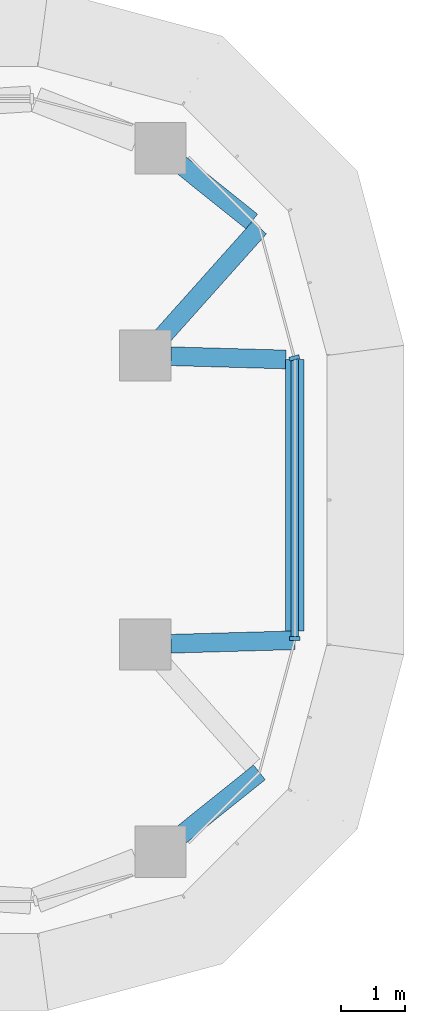
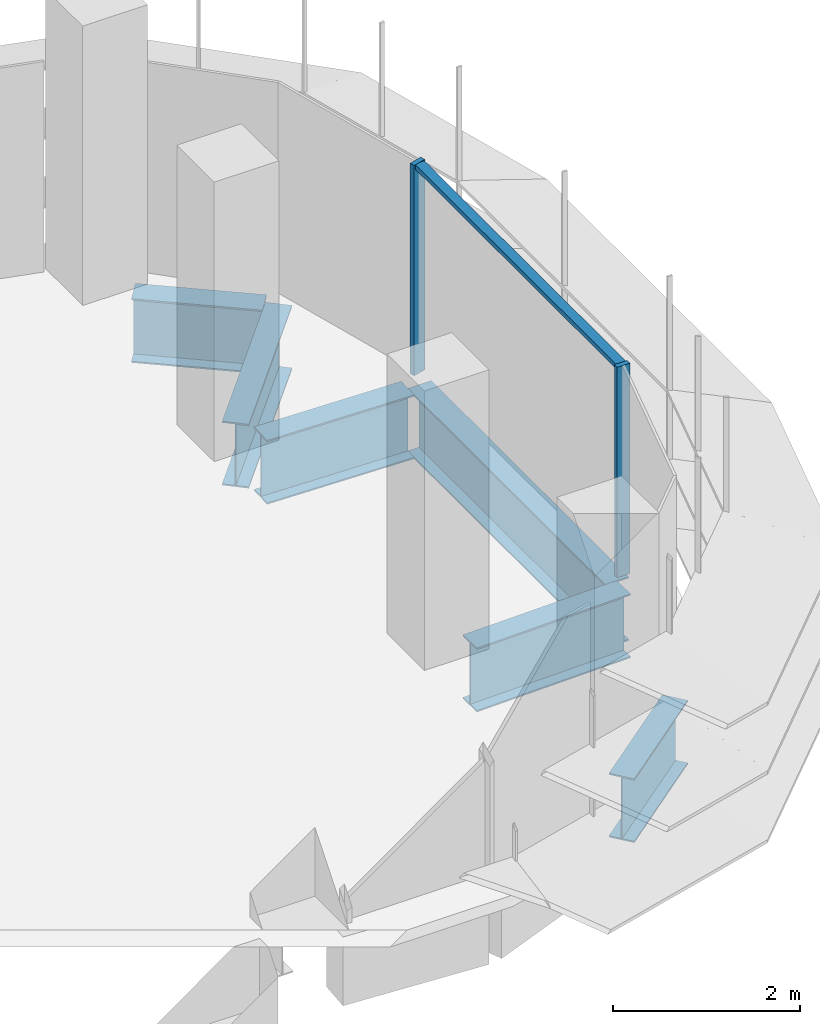
# One storey, part 10 of 20: 6 beams, 3 members, 2 elements without a shape of their own.
"""IFC4 building model written with IfcOpenShell, lengths in metres."""

import ifcopenshell
import ifcopenshell.guid

model = None  # the IFC model being written
_history = None  # IfcOwnerHistory: only IFC2X3 demands one
_inside = {}  # id of a spatial element -> (the spatial element, [elements in it])
_under = {}  # id of a project, library or spatial element -> (it, [spatial elements below it])
_declared = {}  # id of a project -> (the project, [libraries it declares])
_typed = {}  # id of a type object -> (the type object, [elements of that type])
_made_of = {}  # id of a material, layer set ... -> (it, [elements and type objects made of it])


def new_model(schema):
    """Start an empty IFC model of exactly this schema.

    Asked for "IFC4X3", IfcOpenShell would pick the latest addendum, in which some entities
    have other attributes; the version numbers below select the first issue.
    IFC2X3 requires an IfcOwnerHistory on every rooted entity: one is made here for all.
    """
    global model, _history
    if schema == "IFC4X3":
        model = ifcopenshell.file(schema_version=(4, 3, 0, 0))
    else:
        model = ifcopenshell.file(schema=schema)
    _inside.clear()
    _under.clear()
    _declared.clear()
    _typed.clear()
    _made_of.clear()
    _history = None
    if model.schema == "IFC2X3":
        org = make("IfcOrganization", Name="unknown")
        user = make(
            "IfcPersonAndOrganization",
            ThePerson=make("IfcPerson", FamilyName="unknown"),
            TheOrganization=org,
        )
        app = make(
            "IfcApplication",
            ApplicationDeveloper=org,
            Version="unknown",
            ApplicationFullName="unknown",
            ApplicationIdentifier="unknown",
        )
        _history = make(
            "IfcOwnerHistory",
            OwningUser=user,
            OwningApplication=app,
            ChangeAction="ADDED",
            CreationDate=0,
        )
    return model


def make(cls, **values):
    """One entity of the class cls with the attributes given. An attribute that is None is left unset."""
    return model.create_entity(
        cls, **{name: value for name, value in values.items() if value is not None}
    )


def rooted(cls, **values):
    """An entity with a GlobalId (a new one), such as an element, a storey or a relation."""
    return make(cls, GlobalId=ifcopenshell.guid.new(), OwnerHistory=_history, **values)


def si_unit(unit_type, name, prefix=None):
    """IfcSIUnit, for example si_unit("LENGTHUNIT", "METRE", prefix="MILLI")."""
    return make("IfcSIUnit", UnitType=unit_type, Prefix=prefix, Name=name)


def assignment(units):
    """IfcUnitAssignment: the units of a project."""
    return None if units is None else make("IfcUnitAssignment", Units=units)


def point(xyz):
    """IfcCartesianPoint."""
    return None if xyz is None else make("IfcCartesianPoint", Coordinates=xyz)


def direction(xyz):
    """IfcDirection."""
    return None if xyz is None else make("IfcDirection", DirectionRatios=xyz)


def frame(location, z_axis=None, x_axis=None):
    """IfcAxis2Placement3D, a coordinate frame: its origin and axes. An axis left out is left unset."""
    return make(
        "IfcAxis2Placement3D",
        Location=point(location),
        Axis=direction(z_axis),
        RefDirection=direction(x_axis),
    )


def frame_2d(location, x_axis=None):
    """IfcAxis2Placement2D, a coordinate frame in the plane: its origin and x axis."""
    return make(
        "IfcAxis2Placement2D", Location=point(location), RefDirection=direction(x_axis)
    )


def origin():
    """The frame at (0, 0, 0) with its axes left unset."""
    return frame((0.0, 0.0, 0.0))


def origin_2d():
    """The frame at (0, 0) in the plane with its x axis left unset."""
    return frame_2d((0.0, 0.0))


def place(relative_to, where):
    """IfcLocalPlacement: puts the frame where relative to a parent placement (None: the world)."""
    return make(
        "IfcLocalPlacement", PlacementRelTo=relative_to, RelativePlacement=where
    )


def context(
    kind, dimensions, precision=None, world=None, true_north=None, identifier=None
):
    """IfcGeometricRepresentationContext, for example the 3D "Model" context."""
    return make(
        "IfcGeometricRepresentationContext",
        ContextIdentifier=identifier,
        ContextType=kind,
        CoordinateSpaceDimension=dimensions,
        Precision=precision,
        WorldCoordinateSystem=world,
        TrueNorth=true_north,
    )


def subcontext(parent, identifier, kind, view, scale=None):
    """IfcGeometricRepresentationSubContext, for example "Body" below "Model"."""
    return make(
        "IfcGeometricRepresentationSubContext",
        ContextIdentifier=identifier,
        ContextType=kind,
        ParentContext=parent,
        TargetScale=scale,
        TargetView=view,
    )


def project(units=None, contexts=None):
    """IfcProject with its units and contexts."""
    return rooted(
        "IfcProject",
        Name="project",
        RepresentationContexts=contexts,
        UnitsInContext=assignment(units),
    )


def spatial(cls, under=None, at=None, **own):
    """A site, building, storey or space (cls), placed at a placement, below another one or the project."""
    s = rooted(cls, ObjectPlacement=at, **own)
    if under is not None:
        _under.setdefault(under.id(), (under, []))[1].append(s)
    return s


def polyline(points):
    """IfcPolyline through the points."""
    return make("IfcPolyline", Points=[point(p) for p in points])


def profile(cls, at=None, kind="AREA", **sizes):
    """A parametric profile (cls). Its sizes go by their IFC names, for example OverallWidth=200.0."""
    return make(cls, ProfileType=kind, Position=at, **sizes)


def i_section(**sizes):
    """IfcIShapeProfileDef."""
    return profile("IfcIShapeProfileDef", **sizes)


def outline(outer, holes=None, kind="AREA"):
    """IfcArbitraryClosedProfileDef: a profile drawn as a closed curve; with holes, ...WithVoids."""
    if holes is None:
        return make("IfcArbitraryClosedProfileDef", ProfileType=kind, OuterCurve=outer)
    return make(
        "IfcArbitraryProfileDefWithVoids",
        ProfileType=kind,
        OuterCurve=outer,
        InnerCurves=holes,
    )


def extrude(swept, where, along, depth):
    """IfcExtrudedAreaSolid: the profile swept, set in the frame where, extruded along a direction by depth."""
    return make(
        "IfcExtrudedAreaSolid",
        SweptArea=swept,
        Position=where,
        ExtrudedDirection=direction(along),
        Depth=depth,
    )


def shape(context_of_items, identifier, shape_type, items):
    """IfcShapeRepresentation: the items that make up one representation, for example the "Body"."""
    return make(
        "IfcShapeRepresentation",
        ContextOfItems=context_of_items,
        RepresentationIdentifier=identifier,
        RepresentationType=shape_type,
        Items=items,
    )


def source(mapping_origin, context_of_items, identifier, shape_type, items):
    """IfcRepresentationMap: a shape defined once, which mapped items show again and again."""
    return make(
        "IfcRepresentationMap",
        MappingOrigin=mapping_origin,
        MappedRepresentation=shape(context_of_items, identifier, shape_type, items),
    )


def transform(
    local_origin,
    x_axis=None,
    y_axis=None,
    z_axis=None,
    scale=None,
    scale2=None,
    scale3=None,
    uniform=True,
):
    """IfcCartesianTransformationOperator3D, or its non-uniform kind. x_axis, y_axis, z_axis: its Axis1, 2, 3."""
    if uniform:
        return make(
            "IfcCartesianTransformationOperator3D",
            Axis1=direction(x_axis),
            Axis2=direction(y_axis),
            LocalOrigin=point(local_origin),
            Scale=scale,
            Axis3=direction(z_axis),
        )
    return make(
        "IfcCartesianTransformationOperator3DnonUniform",
        Axis1=direction(x_axis),
        Axis2=direction(y_axis),
        LocalOrigin=point(local_origin),
        Scale=scale,
        Axis3=direction(z_axis),
        Scale2=scale2,
        Scale3=scale3,
    )


def mapped(mapping_source, mapping_target):
    """IfcMappedItem: shows the shape of a source again, moved by a transform."""
    return make(
        "IfcMappedItem", MappingSource=mapping_source, MappingTarget=mapping_target
    )


def material(Name=None, Category=None):
    """IfcMaterial."""
    return make("IfcMaterial", Name=Name, Category=Category)


def material_profile(
    of_material, cross_section, Name=None, Category=None, Priority=None
):
    """IfcMaterialProfile: a cross section and its material."""
    return make(
        "IfcMaterialProfile",
        Name=Name,
        Material=of_material,
        Profile=cross_section,
        Priority=Priority,
        Category=Category,
    )


def profile_set(profiles, Name=None, composite=None):
    """IfcMaterialProfileSet."""
    return make(
        "IfcMaterialProfileSet",
        Name=Name,
        MaterialProfiles=profiles,
        CompositeProfile=composite,
    )


def made_of(thing, what):
    """Note that an element or type object is made of a material, layer set ...; save() writes the relation."""
    if what is not None:
        _made_of.setdefault(what.id(), (what, []))[1].append(thing)
    return thing


def type_object(cls, material=None, **own):
    """A type object (cls), such as IfcWallType, which elements share."""
    return made_of(rooted(cls, **own), material)


def element(
    cls,
    number,
    at=None,
    inside=None,
    cuts=None,
    type_object=None,
    material=None,
    context=None,
    identifier="Body",
    shape_type=None,
    held_by="IfcProductDefinitionShape",
    body=None,
    shapes=None,
    **own,
):
    """One element of the class cls, such as IfcWall. Its Tag is "e" and its number.

    at: its placement. inside: the storey or other place that contains it. cuts: it is an
    opening in that element (IfcRelVoidsElement). A single representation is given by context,
    identifier, shape_type and body (its items); several are given by shapes. held_by: the class
    of the entity that holds the representations. save() writes the other relations.
    """
    e = rooted(cls, Tag="e%d" % number, ObjectPlacement=at, **own)
    if body is not None:
        shapes = [shape(context, identifier, shape_type, body)]
    if shapes is not None:
        e.Representation = make(held_by, Representations=shapes)
    if inside is not None:
        _inside.setdefault(inside.id(), (inside, []))[1].append(e)
    if cuts is not None:
        rooted(
            "IfcRelVoidsElement", RelatingBuildingElement=cuts, RelatedOpeningElement=e
        )
    if type_object is not None:
        _typed.setdefault(type_object.id(), (type_object, []))[1].append(e)
    return made_of(e, material)


def aggregate(whole, parts):
    """IfcRelAggregates: a whole, such as a stair, and the parts it consists of."""
    return rooted("IfcRelAggregates", RelatingObject=whole, RelatedObjects=parts)


def save(model, path):
    """Write the relations noted so far, then the file.

    IfcRelAggregates (storeys below a building ...), IfcRelContainedInSpatialStructure (elements
    in a storey), IfcRelDefinesByType, IfcRelAssociatesMaterial and IfcRelDeclares: one each for
    every whole, place, type object, material and project.
    """
    for whole, parts in _under.values():
        aggregate(whole, parts)
    for where, things in _inside.values():
        rooted(
            "IfcRelContainedInSpatialStructure",
            RelatedElements=things,
            RelatingStructure=where,
        )
    for kind, things in _typed.values():
        rooted("IfcRelDefinesByType", RelatedObjects=things, RelatingType=kind)
    for what, things in _made_of.values():
        rooted("IfcRelAssociatesMaterial", RelatedObjects=things, RelatingMaterial=what)
    for by, libraries in _declared.values():
        rooted("IfcRelDeclares", RelatingContext=by, RelatedDefinitions=libraries)
    model.write(path)


model = new_model("IFC4")

# Units and contexts
model_context = context("Model", 3, precision=1e-05, world=origin(), true_north=direction((0.0, 1.0)))
body_context = subcontext(model_context, "Body", "Model", "MODEL_VIEW")
ifc_project = project(units=[si_unit("LENGTHUNIT", "METRE"), si_unit("AREAUNIT", "SQUARE_METRE"), si_unit("VOLUMEUNIT", "CUBIC_METRE"), si_unit("PLANEANGLEUNIT", "RADIAN"), si_unit("MASSUNIT", "GRAM", prefix="KILO")], contexts=[model_context])

# Site, building, storey
site_placement = place(None, origin())
site = spatial("IfcSite", under=ifc_project, at=site_placement, CompositionType="ELEMENT")
building_placement = place(site_placement, origin())
building = spatial("IfcBuilding", under=site, at=building_placement, Name="Zarbagh Exchange Tower", CompositionType="ELEMENT")
storey_placement = place(building_placement, frame((0.0, 0.0, 148.60009765625)))
storey = spatial("IfcBuildingStorey", under=building, at=storey_placement, Name="L35", CompositionType="ELEMENT", Elevation=148.60009765625)

# Beams
ifc_material_1 = material(Name="Steel ASTM A992 Gr 50", Category="steel")
ifc_material_profile = material_profile(ifc_material_1, i_section(OverallWidth=0.2919921875, OverallDepth=0.835693359375, WebThickness=0.013916015625, FlangeThickness=0.018798828125, at=origin_2d()), Name="W33X118")
ifc_profile_set = profile_set([ifc_material_profile], Name="Steel ASTM A992 Gr 50")
beam_type = type_object("IfcBeamType", Name="Floor girder W33X118", PredefinedType="BEAM", material=ifc_profile_set)
beam_1_placement = place(storey_placement, frame((29.22021484375, 5.22509765625, -0.56787109375), z_axis=(0.780533236132, -0.625114283387, 0.0), x_axis=(0.625114283387, 0.780533236132, 0.0)))
element("IfcBeam", 1, at=beam_1_placement, inside=storey, type_object=beam_type, Name="Steel girder", PredefinedType="BEAM", context=body_context, shape_type="SweptSolid", body=[
    extrude(i_section(OverallWidth=0.2919921875, OverallDepth=0.835693359375, WebThickness=0.013916015625, FlangeThickness=0.018798828125, at=origin_2d()), origin(), (0.0, 0.0, 1.0), 1.420166015625),
])
beam_2_placement = place(storey_placement, frame((30.44873046875, 4.2412109375, -0.56787109375), z_axis=(-0.666191013206, -0.745781156857, 0.0), x_axis=(0.745781156857, -0.666191013206, 0.0)))
element("IfcBeam", 2, at=beam_2_placement, inside=storey, type_object=beam_type, Name="Steel girder", PredefinedType="BEAM", context=body_context, shape_type="SweptSolid", body=[
    extrude(i_section(OverallWidth=0.2919921875, OverallDepth=0.835693359375, WebThickness=0.013916015625, FlangeThickness=0.018798828125, at=origin_2d()), origin(), (0.0, 0.0, 1.0), 2.27001953125),
])
beam_3_placement = place(storey_placement, frame((29.06982421875, 2.23876953125, -0.56787109375), z_axis=(0.999600942558, -0.028248108547, 0.0), x_axis=(0.028248108547, 0.999600942558, 0.0)))
element("IfcBeam", 3, at=beam_3_placement, inside=storey, type_object=beam_type, Name="Steel girder", PredefinedType="BEAM", context=body_context, shape_type="SweptSolid", body=[
    extrude(i_section(OverallWidth=0.2919921875, OverallDepth=0.835693359375, WebThickness=0.013916015625, FlangeThickness=0.018798828125, at=origin_2d()), origin(), (0.0, 0.0, 1.0), 1.7890625),
])
beam_4_placement = place(storey_placement, frame((31.0, 2.18408203125, -0.56787109375), z_axis=(0.0, -1.0, 0.0), x_axis=(1.0, 0.0, 0.0)))
element("IfcBeam", 4, at=beam_4_placement, inside=storey, type_object=beam_type, Name="Steel girder", PredefinedType="BEAM", context=body_context, shape_type="SweptSolid", body=[
    extrude(i_section(OverallWidth=0.2919921875, OverallDepth=0.835693359375, WebThickness=0.013916015625, FlangeThickness=0.018798828125, at=origin_2d()), origin(), (0.0, 0.0, 1.0), 4.226318359375),
])
beam_5_placement = place(storey_placement, frame((31.0, -2.18408203125, -0.56787109375), z_axis=(-0.999598864551, -0.028321546377, 0.0), x_axis=(0.028321546377, -0.999598864551, 0.0)))
element("IfcBeam", 5, at=beam_5_placement, inside=storey, type_object=beam_type, Name="Steel girder", PredefinedType="BEAM", context=body_context, shape_type="SweptSolid", body=[
    extrude(i_section(OverallWidth=0.2919921875, OverallDepth=0.835693359375, WebThickness=0.013916015625, FlangeThickness=0.018798828125, at=origin_2d()), origin(), (0.0, 0.0, 1.0), 1.930908203125),
])
beam_6_placement = place(storey_placement, frame((30.44873046875, -4.2412109375, -0.56787109375), z_axis=(-0.780535770033, -0.625111119482, 0.0), x_axis=(0.625111119482, -0.780535770033, 0.0)))
element("IfcBeam", 6, at=beam_6_placement, inside=storey, type_object=beam_type, Name="Steel girder", PredefinedType="BEAM", context=body_context, shape_type="SweptSolid", body=[
    extrude(i_section(OverallWidth=0.2919921875, OverallDepth=0.835693359375, WebThickness=0.013916015625, FlangeThickness=0.018798828125, at=origin_2d()), origin(), (0.0, 0.0, 1.0), 1.573974609375),
])

# Curtain wall, member
ifc_material_2 = material(Name="Anodised aluminium frame and glazing", Category="aluminium")
curtain_wall_type = type_object("IfcCurtainWallType", Name="CWB Ribbon glazing, upper zones", PredefinedType="NOTDEFINED", material=ifc_material_2)
curtain_wall_1_placement = place(storey_placement, origin())
curtain_wall_1 = element("IfcCurtainWall", 7, at=curtain_wall_1_placement, inside=storey, type_object=curtain_wall_type, Name="CWB12 curtain wall", PredefinedType="NOTDEFINED")
ifc_material_3 = material(Name="Anodised aluminium frame", Category="aluminium")
member_type_1 = type_object("IfcMemberType", Name="MUB Mullion, anodised aluminium frame", PredefinedType="MULLION", material=ifc_material_3)
shared_shape_1 = source(origin(), body_context, "Body", "SweptSolid", [
    extrude(outline(polyline([(0.0, -0.080078125), (0.06005859375, -0.080078125), (0.06005859375, 0.080078125), (0.0, 0.080078125), (0.0, -0.080078125)])), origin(), (0.0, 0.0, 1.0), 2.75),
])
placement = place(storey_placement, origin())
member_1 = element("IfcMember", 8, at=placement, type_object=member_type_1, Name="CWB12 mullion 1.1", PredefinedType="MULLION", context=body_context, shape_type="MappedRepresentation", body=[
    mapped(shared_shape_1, transform((31.0, -2.18408203125, 0.0), x_axis=(0.0, 1.0, 0.0), y_axis=(-1.0, 0.0, 0.0), z_axis=(0.0, 0.0, 1.0))),
])

curtain_wall_2_placement = place(storey_placement, origin())
curtain_wall_2 = element("IfcCurtainWall", 9, at=curtain_wall_2_placement, inside=storey, type_object=curtain_wall_type, Name="CWB13 curtain wall", PredefinedType="NOTDEFINED")
member_2 = element("IfcMember", 10, at=placement, type_object=member_type_1, Name="CWB13 mullion 1.1", PredefinedType="MULLION", context=body_context, shape_type="MappedRepresentation", body=[
    mapped(shared_shape_1, transform((31.0, 2.18408203125, 0.0), x_axis=(-0.258824779902, 0.965924289636, 0.0), y_axis=(-0.965924289636, -0.258824779902, 0.0), z_axis=(0.0, 0.0, 1.0))),
])
aggregate(curtain_wall_2, [member_2])

# Member
member_type_2 = type_object("IfcMemberType", Name="TRB Transom, anodised aluminium frame", PredefinedType="USERDEFINED", material=ifc_material_3)
shared_shape_2 = source(origin(), body_context, "Body", "SweptSolid", [
    extrude(outline(polyline([(-0.06005859375, -0.06005859375), (0.0, -0.06005859375), (0.0, 0.06005859375), (-0.06005859375, 0.06005859375), (-0.06005859375, -0.06005859375)])), origin(), (0.0, 0.0, 1.0), 4.308349609375),
])
member_3 = element("IfcMember", 11, at=placement, type_object=member_type_2, Name="CWB12 transom 1.1", ObjectType="TRANSOM", PredefinedType="USERDEFINED", context=body_context, shape_type="MappedRepresentation", body=[
    mapped(shared_shape_2, transform((31.0, -2.124267578125, 2.75), x_axis=(0.0, 0.0, 1.0), y_axis=(1.0, 0.0, 0.0), z_axis=(0.0, 1.0, 0.0))),
])

aggregate(curtain_wall_1, [member_1, member_3])

save(model, "model.ifc")
